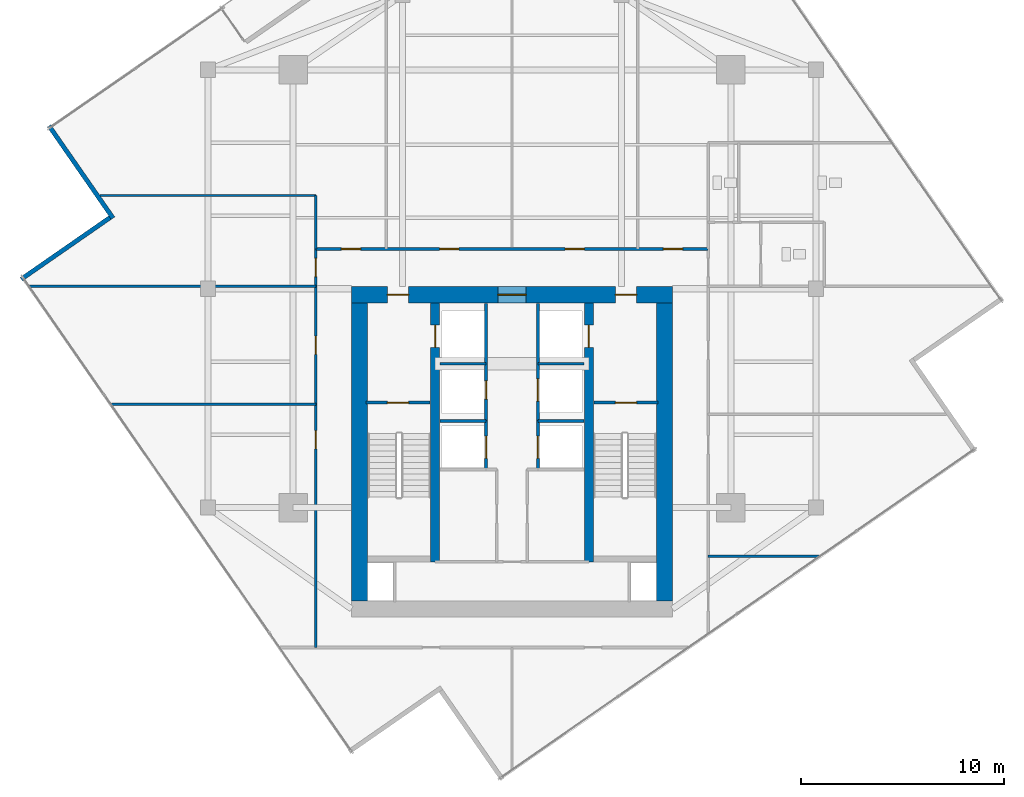
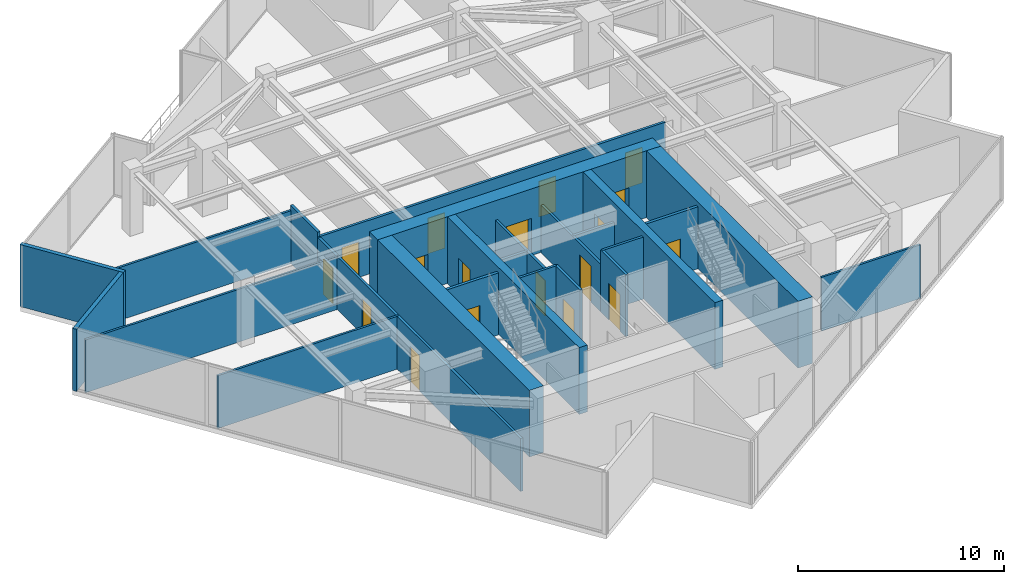
# One storey, part 18 of 21: 24 walls, 18 doors, 18 openings.
"""IFC4 building model written with IfcOpenShell, lengths in metres."""

from ifc_helpers import new_model, si_unit, direction, frame, frame_2d, origin, place, context, subcontext, project, spatial, rectangle, extrude, material, layer, layer_set, type_object, element, fill, save


model = new_model("IFC4")

# Units and contexts
model_context = context("Model", 3, precision=1e-05, world=origin(), true_north=direction((0.0, 1.0)))
body_context = subcontext(model_context, "Body", "Model", "MODEL_VIEW")
ifc_project = project(units=[si_unit("LENGTHUNIT", "METRE"), si_unit("AREAUNIT", "SQUARE_METRE"), si_unit("VOLUMEUNIT", "CUBIC_METRE"), si_unit("PLANEANGLEUNIT", "RADIAN"), si_unit("MASSUNIT", "GRAM", prefix="KILO")], contexts=[model_context])

# Site, building, storey
site_placement = place(None, origin())
site = spatial("IfcSite", under=ifc_project, at=site_placement, CompositionType="ELEMENT")
building_placement = place(site_placement, origin())
building = spatial("IfcBuilding", under=site, at=building_placement, Name="Krantzveldt Concourse Tower", CompositionType="ELEMENT")
storey_placement = place(building_placement, frame((0.0, 0.0, 275.300048828125)))
storey = spatial("IfcBuildingStorey", under=building, at=storey_placement, Name="L67", CompositionType="ELEMENT", Elevation=275.300048828125)

# Walls
ifc_material_1 = material(Name="Anodised aluminium 6063-T6", Category="aluminium")
ifc_layer_1 = layer(ifc_material_1, 0.219970703125, Name="Anodised aluminium 6063-T6", Category="aluminium")
ifc_layer_set_1 = layer_set([ifc_layer_1], Name="Anodised aluminium 6063-T6 (WL-EXT-NOTCH220)")
wall_type_1 = type_object("IfcWallType", Name="WL-EXT-NOTCH220", PredefinedType="ELEMENTEDWALL", material=ifc_layer_set_1)
wall_1_placement = place(storey_placement, frame((13.154541015625, 34.736572265625, 0.0), z_axis=(0.0, 0.0, 1.0), x_axis=(0.569988141022, -0.821652918874, 0.0)))
element("IfcWall", 1, at=wall_1_placement, inside=storey, type_object=wall_type_1, Name="EW-L67-NCH06", PredefinedType="ELEMENTEDWALL", context=body_context, shape_type="SweptSolid", body=[
    extrude(rectangle(XDim=5.545166015625, YDim=0.219970703125, at=frame_2d((2.7724609375, 0.0))), origin(), (0.0, 0.0, 1.0), 3.669921875),
])
wall_2_placement = place(storey_placement, frame((16.162109375, 30.208251953125, 0.0), z_axis=(0.0, 0.0, 1.0), x_axis=(-0.821652092748, -0.569989331903, 0.0)))
element("IfcWall", 2, at=wall_2_placement, inside=storey, type_object=wall_type_1, Name="EW-L67-NCH07", PredefinedType="ELEMENTEDWALL", context=body_context, shape_type="SweptSolid", body=[
    extrude(rectangle(XDim=5.324951171875, YDim=0.219970703125, at=frame_2d((2.66259765625, 0.0))), origin(), (0.0, 0.0, 1.0), 3.669921875),
])
ifc_material_2 = material(Name="Fire-rated gypsum plasterboard on steel stud", Category="steel")
ifc_layer_2 = layer(ifc_material_2, 0.1201171875, Name="Fire-rated gypsum plasterboard on steel stud", Category="steel")
ifc_layer_set_2 = layer_set([ifc_layer_2], Name="Fire-rated gypsum plasterboard on steel stud (WL-PART-120)")
wall_type_2 = type_object("IfcWallType", Name="WL-PART-120", PredefinedType="PARTITIONING", material=ifc_layer_set_2)
wall_3_placement = place(storey_placement, frame((12.171875, 26.820068359375, 0.0), z_axis=(0.0, 0.0, 1.0), x_axis=(1.0, 0.0, 0.0)))
element("IfcWall", 3, at=wall_3_placement, inside=storey, type_object=wall_type_2, Name="WP-L67-PNTS", PredefinedType="PARTITIONING", context=body_context, shape_type="SweptSolid", body=[
    extrude(rectangle(XDim=14.148193359375, YDim=0.1201171875, at=frame_2d((7.07421875, 0.0))), origin(), (0.0, 0.0, 1.0), 3.1298828125),
])
wall_4_placement = place(storey_placement, frame((15.6787109375, 31.300048828125, 0.0), z_axis=(0.0, 0.0, 1.0), x_axis=(1.0, 0.0, 0.0)))
element("IfcWall", 4, at=wall_4_placement, inside=storey, type_object=wall_type_2, Name="WP-L67-PNTN", PredefinedType="PARTITIONING", context=body_context, shape_type="SweptSolid", body=[
    extrude(rectangle(XDim=10.641357421875, YDim=0.1201171875, at=frame_2d((5.32080078125, 0.0))), origin(), (0.0, 0.0, 1.0), 3.1298828125),
])
wall_5_placement = place(storey_placement, frame((16.209228515625, 21.0, 0.0), z_axis=(0.0, 0.0, 1.0), x_axis=(1.0, 0.0, 0.0)))
element("IfcWall", 5, at=wall_5_placement, inside=storey, type_object=wall_type_2, Name="WP-L67-WD1", PredefinedType="PARTITIONING", context=body_context, shape_type="SweptSolid", body=[
    extrude(rectangle(XDim=10.11083984375, YDim=0.1201171875, at=frame_2d((5.055419921875, 0.0))), origin(), (0.0, 0.0, 1.0), 3.1298828125),
])
wall_6_placement = place(storey_placement, frame((45.679931640625, 13.5, 0.0), z_axis=(0.0, 0.0, 1.0), x_axis=(1.0, 0.0, 0.0)))
element("IfcWall", 6, at=wall_6_placement, inside=storey, type_object=wall_type_2, Name="WP-L67-ED1", PredefinedType="PARTITIONING", context=body_context, shape_type="SweptSolid", body=[
    extrude(rectangle(XDim=5.5205078125, YDim=0.1201171875, at=frame_2d((2.76025390625, 0.0))), origin(), (0.0, 0.0, 1.0), 3.179931640625),
])

# Wall, openings, doors
ifc_layer_3 = layer(ifc_material_2, 0.139892578125, Name="Fire-rated gypsum plasterboard on steel stud", Category="steel")
ifc_layer_set_3 = layer_set([ifc_layer_3], Name="Fire-rated gypsum plasterboard on steel stud (WL-PART-140)")
wall_type_3 = type_object("IfcWallType", Name="WL-PART-140", PredefinedType="PARTITIONING", material=ifc_layer_set_3)
wall_7_placement = place(storey_placement, frame((26.320068359375, 28.659912109375, 0.0), z_axis=(0.0, 0.0, 1.0), x_axis=(1.0, 0.0, 0.0)))
wall_7 = element("IfcWall", 7, at=wall_7_placement, inside=storey, type_object=wall_type_3, Name="WP-L67-CNHDR", PredefinedType="PARTITIONING", context=body_context, shape_type="SweptSolid", body=[
    extrude(rectangle(XDim=19.35986328125, YDim=0.139892578125, at=frame_2d((9.679931640625, 0.0))), origin(), (0.0, 0.0, 1.0), 3.179931640625),
])
opening_1_placement = place(wall_7_placement, frame((1.264892578125, 0.0, 0.0)))
opening_1 = element("IfcOpeningElement", 8, at=opening_1_placement, cuts=wall_7, Name="Opening D-IN095", PredefinedType="OPENING", context=body_context, shape_type="SweptSolid", body=[
    extrude(rectangle(XDim=0.949951171875, YDim=2.10009765625, at=frame_2d((0.47509765625, 1.050048828125))), frame((0.0, 0.080078125, 0.0), z_axis=(0.0, -1.0, 0.0), x_axis=(1.0, 0.0, 0.0)), (0.0, 0.0, 1.0), 0.159912109375),
])
opening_2_placement = place(wall_7_placement, frame((6.10498046875, 0.0, 0.0)))
opening_2 = element("IfcOpeningElement", 9, at=opening_2_placement, cuts=wall_7, Name="Opening D-IN095", PredefinedType="OPENING", context=body_context, shape_type="SweptSolid", body=[
    extrude(rectangle(XDim=0.949951171875, YDim=2.10009765625, at=frame_2d((0.47509765625, 1.050048828125))), frame((0.0, 0.080078125, 0.0), z_axis=(0.0, -1.0, 0.0), x_axis=(1.0, 0.0, 0.0)), (0.0, 0.0, 1.0), 0.159912109375),
])
opening_3_placement = place(wall_7_placement, frame((12.304931640625, 0.0, 0.0)))
opening_3 = element("IfcOpeningElement", 10, at=opening_3_placement, cuts=wall_7, Name="Opening D-IN095", PredefinedType="OPENING", context=body_context, shape_type="SweptSolid", body=[
    extrude(rectangle(XDim=0.949951171875, YDim=2.10009765625, at=frame_2d((0.47509765625, 1.050048828125))), frame((0.0, 0.080078125, 0.0), z_axis=(0.0, -1.0, 0.0), x_axis=(1.0, 0.0, 0.0)), (0.0, 0.0, 1.0), 0.159912109375),
])
opening_4_placement = place(wall_7_placement, frame((17.14501953125, 0.0, 0.0)))
opening_4 = element("IfcOpeningElement", 11, at=opening_4_placement, cuts=wall_7, Name="Opening D-IN095", PredefinedType="OPENING", context=body_context, shape_type="SweptSolid", body=[
    extrude(rectangle(XDim=0.949951171875, YDim=2.10009765625, at=frame_2d((0.47509765625, 1.050048828125))), frame((0.0, 0.080078125, 0.0), z_axis=(0.0, -1.0, 0.0), x_axis=(1.0, 0.0, 0.0)), (0.0, 0.0, 1.0), 0.159912109375),
])
ifc_material_3 = material(Name="Hardwood timber", Category="wood")
door_type_1 = type_object("IfcDoorType", Name="DR-INT-950", OperationType="SINGLE_SWING_LEFT", PredefinedType="DOOR", material=ifc_material_3)
door_1_placement = place(opening_1_placement, origin())
door_1 = element("IfcDoor", 12, at=door_1_placement, inside=storey, type_object=door_type_1, Name="DR-L67-NR1", OperationType="SINGLE_SWING_LEFT", OverallHeight=2.10009765625, OverallWidth=0.949951171875, PredefinedType="DOOR", context=body_context, shape_type="SweptSolid", body=[
    extrude(rectangle(XDim=0.949951171875, YDim=2.10009765625, at=frame_2d((0.47509765625, 1.050048828125))), frame((0.0, 0.02490234375, 0.0), z_axis=(0.0, -1.0, 0.0), x_axis=(1.0, 0.0, 0.0)), (0.0, 0.0, 1.0), 0.050048828125),
])
fill(opening_1, door_1)
door_2_placement = place(opening_2_placement, origin())
door_2 = element("IfcDoor", 13, at=door_2_placement, inside=storey, type_object=door_type_1, Name="DR-L67-NR2", OperationType="SINGLE_SWING_LEFT", OverallHeight=2.10009765625, OverallWidth=0.949951171875, PredefinedType="DOOR", context=body_context, shape_type="SweptSolid", body=[
    extrude(rectangle(XDim=0.949951171875, YDim=2.10009765625, at=frame_2d((0.47509765625, 1.050048828125))), frame((0.0, 0.02490234375, 0.0), z_axis=(0.0, -1.0, 0.0), x_axis=(1.0, 0.0, 0.0)), (0.0, 0.0, 1.0), 0.050048828125),
])
fill(opening_2, door_2)
door_3_placement = place(opening_3_placement, origin())
door_3 = element("IfcDoor", 14, at=door_3_placement, inside=storey, type_object=door_type_1, Name="DR-L67-NR3", OperationType="SINGLE_SWING_LEFT", OverallHeight=2.10009765625, OverallWidth=0.949951171875, PredefinedType="DOOR", context=body_context, shape_type="SweptSolid", body=[
    extrude(rectangle(XDim=0.949951171875, YDim=2.10009765625, at=frame_2d((0.47509765625, 1.050048828125))), frame((0.0, 0.02490234375, 0.0), z_axis=(0.0, -1.0, 0.0), x_axis=(1.0, 0.0, 0.0)), (0.0, 0.0, 1.0), 0.050048828125),
])
fill(opening_3, door_3)
door_4_placement = place(opening_4_placement, origin())
door_4 = element("IfcDoor", 15, at=door_4_placement, inside=storey, type_object=door_type_1, Name="DR-L67-NR4", OperationType="SINGLE_SWING_LEFT", OverallHeight=2.10009765625, OverallWidth=0.949951171875, PredefinedType="DOOR", context=body_context, shape_type="SweptSolid", body=[
    extrude(rectangle(XDim=0.949951171875, YDim=2.10009765625, at=frame_2d((0.47509765625, 1.050048828125))), frame((0.0, 0.02490234375, 0.0), z_axis=(0.0, -1.0, 0.0), x_axis=(1.0, 0.0, 0.0)), (0.0, 0.0, 1.0), 0.050048828125),
])
fill(opening_4, door_4)

wall_8_placement = place(storey_placement, frame((26.320068359375, 9.0, 0.0), z_axis=(0.0, 0.0, 1.0), x_axis=(0.0, 1.0, 0.0)))
wall_8 = element("IfcWall", 16, at=wall_8_placement, inside=storey, type_object=wall_type_3, Name="WP-L67-CWEST", PredefinedType="PARTITIONING", context=body_context, shape_type="SweptSolid", body=[
    extrude(rectangle(XDim=19.659912109375, YDim=0.139892578125, at=frame_2d((9.830078125, 0.0))), origin(), (0.0, 0.0, 1.0), 3.1298828125),
])
opening_5_placement = place(wall_8_placement, frame((18.300048828125, 0.0, 0.0)))
opening_5 = element("IfcOpeningElement", 17, at=opening_5_placement, cuts=wall_8, Name="Opening D-IN090", PredefinedType="OPENING", context=body_context, shape_type="SweptSolid", body=[
    extrude(rectangle(XDim=0.89990234375, YDim=2.10009765625, at=frame_2d((0.449951171875, 1.050048828125))), frame((0.0, 0.080078125, 0.0), z_axis=(0.0, -1.0, 0.0), x_axis=(1.0, 0.0, 0.0)), (0.0, 0.0, 1.0), 0.159912109375),
])
opening_6_placement = place(wall_8_placement, frame((9.800048828125, 0.0, 0.0)))
opening_6 = element("IfcOpeningElement", 18, at=opening_6_placement, cuts=wall_8, Name="Opening D-IN090", PredefinedType="OPENING", context=body_context, shape_type="SweptSolid", body=[
    extrude(rectangle(XDim=0.89990234375, YDim=2.10009765625, at=frame_2d((0.449951171875, 1.050048828125))), frame((0.0, 0.080078125, 0.0), z_axis=(0.0, -1.0, 0.0), x_axis=(1.0, 0.0, 0.0)), (0.0, 0.0, 1.0), 0.159912109375),
])
opening_7_placement = place(wall_8_placement, frame((14.4599609375, 0.0, 0.0)))
opening_7 = element("IfcOpeningElement", 19, at=opening_7_placement, cuts=wall_8, Name="Opening D-IN090", PredefinedType="OPENING", context=body_context, shape_type="SweptSolid", body=[
    extrude(rectangle(XDim=0.89990234375, YDim=2.10009765625, at=frame_2d((0.449951171875, 1.050048828125))), frame((0.0, 0.080078125, 0.0), z_axis=(0.0, -1.0, 0.0), x_axis=(1.0, 0.0, 0.0)), (0.0, 0.0, 1.0), 0.159912109375),
])
door_type_2 = type_object("IfcDoorType", Name="DR-INT-900", OperationType="SINGLE_SWING_LEFT", PredefinedType="DOOR", material=ifc_material_3)
door_5_placement = place(opening_5_placement, origin())
door_5 = element("IfcDoor", 20, at=door_5_placement, inside=storey, type_object=door_type_2, Name="DR-L67-PNT", OperationType="SINGLE_SWING_LEFT", OverallHeight=2.10009765625, OverallWidth=0.89990234375, PredefinedType="DOOR", context=body_context, shape_type="SweptSolid", body=[
    extrude(rectangle(XDim=0.89990234375, YDim=2.10009765625, at=frame_2d((0.449951171875, 1.050048828125))), frame((0.0, 0.02490234375, 0.0), z_axis=(0.0, -1.0, 0.0), x_axis=(1.0, 0.0, 0.0)), (0.0, 0.0, 1.0), 0.050048828125),
])
fill(opening_5, door_5)
door_6_placement = place(opening_6_placement, origin())
door_6 = element("IfcDoor", 21, at=door_6_placement, inside=storey, type_object=door_type_2, Name="DR-L67-WR1", OperationType="SINGLE_SWING_LEFT", OverallHeight=2.10009765625, OverallWidth=0.89990234375, PredefinedType="DOOR", context=body_context, shape_type="SweptSolid", body=[
    extrude(rectangle(XDim=0.89990234375, YDim=2.10009765625, at=frame_2d((0.449951171875, 1.050048828125))), frame((0.0, 0.02490234375, 0.0), z_axis=(0.0, -1.0, 0.0), x_axis=(1.0, 0.0, 0.0)), (0.0, 0.0, 1.0), 0.050048828125),
])
fill(opening_6, door_6)
door_7_placement = place(opening_7_placement, origin())
door_7 = element("IfcDoor", 22, at=door_7_placement, inside=storey, type_object=door_type_2, Name="DR-L67-WR2", OperationType="SINGLE_SWING_LEFT", OverallHeight=2.10009765625, OverallWidth=0.89990234375, PredefinedType="DOOR", context=body_context, shape_type="SweptSolid", body=[
    extrude(rectangle(XDim=0.89990234375, YDim=2.10009765625, at=frame_2d((0.449951171875, 1.050048828125))), frame((0.0, 0.02490234375, 0.0), z_axis=(0.0, -1.0, 0.0), x_axis=(1.0, 0.0, 0.0)), (0.0, 0.0, 1.0), 0.050048828125),
])
fill(opening_7, door_7)

# Wall
wall_9_placement = place(storey_placement, frame((26.320068359375, 28.659912109375, 0.0), z_axis=(0.0, 0.0, 1.0), x_axis=(0.0, 1.0, 0.0)))
element("IfcWall", 23, at=wall_9_placement, inside=storey, type_object=wall_type_3, Name="WP-L67-NWL", PredefinedType="PARTITIONING", context=body_context, shape_type="SweptSolid", body=[
    extrude(rectangle(XDim=2.64013671875, YDim=0.139892578125, at=frame_2d((1.320068359375, 0.0))), origin(), (0.0, 0.0, 1.0), 3.429931640625),
])

# Wall, opening, door
ifc_layer_4 = layer(ifc_material_2, 0.139892578125, Name="Fire-rated gypsum plasterboard on steel stud", Category="steel")
ifc_layer_set_4 = layer_set([ifc_layer_4], Name="Fire-rated gypsum plasterboard on steel stud (WL-PART-FR140)")
wall_type_4 = type_object("IfcWallType", Name="WL-PART-FR140", PredefinedType="PARTITIONING", material=ifc_layer_set_4)
wall_10_placement = place(storey_placement, frame((34.719970703125, 20.199951171875, 0.0), z_axis=(0.0, 0.0, 1.0), x_axis=(0.0, 1.0, 0.0)))
wall_10 = element("IfcWall", 24, at=wall_10_placement, inside=storey, type_object=wall_type_4, Name="WP-L67-SHNW", PredefinedType="PARTITIONING", context=body_context, shape_type="SweptSolid", body=[
    extrude(rectangle(XDim=5.780029296875, YDim=0.139892578125, at=frame_2d((2.89013671875, 0.0))), origin(), (0.0, 0.0, 1.0), 2.820068359375),
])
opening_8_placement = place(wall_10_placement, frame((1.050048828125, 0.0, 0.0)))
opening_8 = element("IfcOpeningElement", 25, at=opening_8_placement, cuts=wall_10, Name="Opening D-FD090", PredefinedType="OPENING", context=body_context, shape_type="SweptSolid", body=[
    extrude(rectangle(XDim=0.89990234375, YDim=2.10009765625, at=frame_2d((0.449951171875, 1.050048828125))), frame((0.0, 0.080078125, 0.0), z_axis=(0.0, -1.0, 0.0), x_axis=(1.0, 0.0, 0.0)), (0.0, 0.0, 1.0), 0.159912109375),
])
door_type_3 = type_object("IfcDoorType", Name="DR-FD60-900", OperationType="SINGLE_SWING_LEFT", PredefinedType="DOOR", material=ifc_material_3)
door_8_placement = place(opening_8_placement, origin())
door_8 = element("IfcDoor", 26, at=door_8_placement, inside=storey, type_object=door_type_3, Name="Electrical Riser Access Door L67", OperationType="SINGLE_SWING_LEFT", OverallHeight=2.10009765625, OverallWidth=0.89990234375, PredefinedType="DOOR", context=body_context, shape_type="SweptSolid", body=[
    extrude(rectangle(XDim=0.89990234375, YDim=2.10009765625, at=frame_2d((0.449951171875, 1.050048828125))), frame((0.0, 0.02490234375, 0.0), z_axis=(0.0, -1.0, 0.0), x_axis=(1.0, 0.0, 0.0)), (0.0, 0.0, 1.0), 0.050048828125),
])
fill(opening_8, door_8)

wall_11_placement = place(storey_placement, frame((37.280029296875, 20.199951171875, 0.0), z_axis=(0.0, 0.0, 1.0), x_axis=(0.0, 1.0, 0.0)))
wall_11 = element("IfcWall", 27, at=wall_11_placement, inside=storey, type_object=wall_type_4, Name="WP-L67-SHNE", PredefinedType="PARTITIONING", context=body_context, shape_type="SweptSolid", body=[
    extrude(rectangle(XDim=5.780029296875, YDim=0.139892578125, at=frame_2d((2.89013671875, 0.0))), origin(), (0.0, 0.0, 1.0), 2.820068359375),
])
opening_9_placement = place(wall_11_placement, frame((0.949951171875, 0.0, 0.0)))
opening_9 = element("IfcOpeningElement", 28, at=opening_9_placement, cuts=wall_11, Name="Opening LD", PredefinedType="OPENING", context=body_context, shape_type="SweptSolid", body=[
    extrude(rectangle(XDim=1.10009765625, YDim=2.14990234375, at=frame_2d((0.550048828125, 1.074951171875))), frame((0.0, 0.080078125, 0.0), z_axis=(0.0, -1.0, 0.0), x_axis=(1.0, 0.0, 0.0)), (0.0, 0.0, 1.0), 0.159912109375),
])
ifc_material_4 = material(Name="Stainless steel 316L", Category="steel")
door_type_4 = type_object("IfcDoorType", Name="DR-SLIDE-LD1100", OperationType="DOUBLE_DOOR_SLIDING", PredefinedType="DOOR", material=ifc_material_4)
door_9_placement = place(opening_9_placement, origin())
door_9 = element("IfcDoor", 29, at=door_9_placement, inside=storey, type_object=door_type_4, Name="LD-L67-GL1", OperationType="DOUBLE_DOOR_SLIDING", OverallHeight=2.14990234375, OverallWidth=1.10009765625, PredefinedType="DOOR", context=body_context, shape_type="SweptSolid", body=[
    extrude(rectangle(XDim=1.10009765625, YDim=2.14990234375, at=frame_2d((0.550048828125, 1.074951171875))), frame((0.0, 0.02490234375, 0.0), z_axis=(0.0, -1.0, 0.0), x_axis=(1.0, 0.0, 0.0)), (0.0, 0.0, 1.0), 0.050048828125),
])
fill(opening_9, door_9)

# Walls
for number, where, z_axis, x_axis, name in (
    (30, (32.449951171875, 23.0, 0.0), (0.0, 0.0, 1.0), (1.0, 0.0, 0.0), "WP-L67-RISH"),
    (31, (37.280029296875, 23.0, 0.0), (0.0, 0.0, 1.0), (1.0, 0.0, 0.0), "WP-L67-GLH"),
):
    element("IfcWall", number, at=place(storey_placement, frame(where, z_axis=z_axis, x_axis=x_axis)), inside=storey, type_object=wall_type_4, Name=name, PredefinedType="PARTITIONING", context=body_context, shape_type="SweptSolid", body=[
        extrude(rectangle(XDim=2.27001953125, YDim=0.139892578125, at=frame_2d((1.135009765625, 0.0))), origin(), (0.0, 0.0, 1.0), 2.820068359375),
    ])

# Wall, opening, door
wall_12_placement = place(storey_placement, frame((34.719970703125, 17.780029296875, 0.0), z_axis=(0.0, 0.0, 1.0), x_axis=(0.0, 1.0, 0.0)))
wall_12 = element("IfcWall", 32, at=wall_12_placement, inside=storey, type_object=wall_type_4, Name="WP-L67-SHNW2", PredefinedType="PARTITIONING", context=body_context, shape_type="SweptSolid", body=[
    extrude(rectangle(XDim=2.419921875, YDim=0.139892578125, at=frame_2d((1.2099609375, 0.0))), origin(), (0.0, 0.0, 1.0), 3.669921875),
])
opening_10_placement = place(wall_12_placement, frame((0.550048828125, 0.0, 0.0)))
opening_10 = element("IfcOpeningElement", 33, at=opening_10_placement, cuts=wall_12, Name="Opening LD", PredefinedType="OPENING", context=body_context, shape_type="SweptSolid", body=[
    extrude(rectangle(XDim=1.10009765625, YDim=2.14990234375, at=frame_2d((0.550048828125, 1.074951171875))), frame((0.0, 0.080078125, 0.0), z_axis=(0.0, -1.0, 0.0), x_axis=(1.0, 0.0, 0.0)), (0.0, 0.0, 1.0), 0.159912109375),
])
door_10_placement = place(opening_10_placement, origin())
door_10 = element("IfcDoor", 34, at=door_10_placement, inside=storey, type_object=door_type_4, Name="LD-L67-PH1", OperationType="DOUBLE_DOOR_SLIDING", OverallHeight=2.14990234375, OverallWidth=1.10009765625, PredefinedType="DOOR", context=body_context, shape_type="SweptSolid", body=[
    extrude(rectangle(XDim=1.10009765625, YDim=2.14990234375, at=frame_2d((0.550048828125, 1.074951171875))), frame((0.0, 0.02490234375, 0.0), z_axis=(0.0, -1.0, 0.0), x_axis=(1.0, 0.0, 0.0)), (0.0, 0.0, 1.0), 0.050048828125),
])
fill(opening_10, door_10)

wall_13_placement = place(storey_placement, frame((37.280029296875, 17.780029296875, 0.0), z_axis=(0.0, 0.0, 1.0), x_axis=(0.0, 1.0, 0.0)))
wall_13 = element("IfcWall", 35, at=wall_13_placement, inside=storey, type_object=wall_type_4, Name="WP-L67-SHNE2", PredefinedType="PARTITIONING", context=body_context, shape_type="SweptSolid", body=[
    extrude(rectangle(XDim=2.419921875, YDim=0.139892578125, at=frame_2d((1.2099609375, 0.0))), origin(), (0.0, 0.0, 1.0), 3.669921875),
])
opening_11_placement = place(wall_13_placement, frame((0.550048828125, 0.0, 0.0)))
opening_11 = element("IfcOpeningElement", 36, at=opening_11_placement, cuts=wall_13, Name="Opening LD", PredefinedType="OPENING", context=body_context, shape_type="SweptSolid", body=[
    extrude(rectangle(XDim=1.10009765625, YDim=2.14990234375, at=frame_2d((0.550048828125, 1.074951171875))), frame((0.0, 0.080078125, 0.0), z_axis=(0.0, -1.0, 0.0), x_axis=(1.0, 0.0, 0.0)), (0.0, 0.0, 1.0), 0.159912109375),
])
door_11_placement = place(opening_11_placement, origin())
door_11 = element("IfcDoor", 37, at=door_11_placement, inside=storey, type_object=door_type_4, Name="LD-L67-PH2", OperationType="DOUBLE_DOOR_SLIDING", OverallHeight=2.14990234375, OverallWidth=1.10009765625, PredefinedType="DOOR", context=body_context, shape_type="SweptSolid", body=[
    extrude(rectangle(XDim=1.10009765625, YDim=2.14990234375, at=frame_2d((0.550048828125, 1.074951171875))), frame((0.0, 0.02490234375, 0.0), z_axis=(0.0, -1.0, 0.0), x_axis=(1.0, 0.0, 0.0)), (0.0, 0.0, 1.0), 0.050048828125),
])
fill(opening_11, door_11)

# Walls
for number, where, z_axis, x_axis, name in (
    (38, (32.449951171875, 20.179931640625, 0.0), (0.0, 0.0, 1.0), (1.0, 0.0, 0.0), "WP-L67-DIVW3"),
    (39, (37.280029296875, 20.179931640625, 0.0), (0.0, 0.0, 1.0), (1.0, 0.0, 0.0), "WP-L67-DIVE3"),
):
    element("IfcWall", number, at=place(storey_placement, frame(where, z_axis=z_axis, x_axis=x_axis)), inside=storey, type_object=wall_type_4, Name=name, PredefinedType="PARTITIONING", context=body_context, shape_type="SweptSolid", body=[
        extrude(rectangle(XDim=2.27001953125, YDim=0.139892578125, at=frame_2d((1.135009765625, 0.0))), origin(), (0.0, 0.0, 1.0), 3.669921875),
    ])

# Wall, opening, door
ifc_layer_5 = layer(ifc_material_2, 0.159912109375, Name="Fire-rated gypsum plasterboard on steel stud", Category="steel")
ifc_layer_set_5 = layer_set([ifc_layer_5], Name="Fire-rated gypsum plasterboard on steel stud (WL-PART-FR160)")
wall_type_5 = type_object("IfcWallType", Name="WL-PART-FR160", PredefinedType="PARTITIONING", material=ifc_layer_set_5)
wall_14_placement = place(storey_placement, frame((28.800048828125, 21.080078125, 0.0), z_axis=(0.0, 0.0, 1.0), x_axis=(1.0, 0.0, 0.0)))
wall_14 = element("IfcWall", 40, at=wall_14_placement, inside=storey, type_object=wall_type_5, Name="WP-L67-ST1", PredefinedType="PARTITIONING", context=body_context, shape_type="SweptSolid", body=[
    extrude(rectangle(XDim=3.159912109375, YDim=0.159912109375, at=frame_2d((1.580078125, 0.0))), origin(), (0.0, 0.0, 1.0), 3.669921875),
])
opening_12_placement = place(wall_14_placement, frame((1.054931640625, 0.0, 0.0)))
opening_12 = element("IfcOpeningElement", 41, at=opening_12_placement, cuts=wall_14, Name="Opening D-FD105", PredefinedType="OPENING", context=body_context, shape_type="SweptSolid", body=[
    extrude(rectangle(XDim=1.050048828125, YDim=2.10009765625, at=frame_2d((0.52490234375, 1.050048828125))), frame((0.0, 0.08984375, 0.0), z_axis=(0.0, -1.0, 0.0), x_axis=(1.0, 0.0, 0.0)), (0.0, 0.0, 1.0), 0.179931640625),
])
ifc_material_5 = material(Name="Galvanised steel", Category="steel")
door_type_5 = type_object("IfcDoorType", Name="DR-FD120-1050", OperationType="SINGLE_SWING_LEFT", PredefinedType="DOOR", material=ifc_material_5)
door_12_placement = place(opening_12_placement, origin())
door_12 = element("IfcDoor", 42, at=door_12_placement, inside=storey, type_object=door_type_5, Name="DR-L67-ST1", OperationType="SINGLE_SWING_RIGHT", OverallHeight=2.10009765625, OverallWidth=1.050048828125, PredefinedType="DOOR", context=body_context, shape_type="SweptSolid", body=[
    extrude(rectangle(XDim=1.050048828125, YDim=2.10009765625, at=frame_2d((0.52490234375, 1.050048828125))), frame((0.0, 0.02490234375, 0.0), z_axis=(0.0, -1.0, 0.0), x_axis=(1.0, 0.0, 0.0)), (0.0, 0.0, 1.0), 0.050048828125),
])
fill(opening_12, door_12)

wall_15_placement = place(storey_placement, frame((40.0400390625, 21.080078125, 0.0), z_axis=(0.0, 0.0, 1.0), x_axis=(1.0, 0.0, 0.0)))
wall_15 = element("IfcWall", 43, at=wall_15_placement, inside=storey, type_object=wall_type_5, Name="WP-L67-ST2", PredefinedType="PARTITIONING", context=body_context, shape_type="SweptSolid", body=[
    extrude(rectangle(XDim=3.159912109375, YDim=0.159912109375, at=frame_2d((1.580078125, 0.0))), origin(), (0.0, 0.0, 1.0), 3.669921875),
])
opening_13_placement = place(wall_15_placement, frame((1.054931640625, 0.0, 0.0)))
opening_13 = element("IfcOpeningElement", 44, at=opening_13_placement, cuts=wall_15, Name="Opening D-FD105", PredefinedType="OPENING", context=body_context, shape_type="SweptSolid", body=[
    extrude(rectangle(XDim=1.050048828125, YDim=2.10009765625, at=frame_2d((0.52490234375, 1.050048828125))), frame((0.0, 0.08984375, 0.0), z_axis=(0.0, -1.0, 0.0), x_axis=(1.0, 0.0, 0.0)), (0.0, 0.0, 1.0), 0.179931640625),
])
door_13_placement = place(opening_13_placement, origin())
door_13 = element("IfcDoor", 45, at=door_13_placement, inside=storey, type_object=door_type_5, Name="DR-L67-ST2", OperationType="SINGLE_SWING_LEFT", OverallHeight=2.10009765625, OverallWidth=1.050048828125, PredefinedType="DOOR", context=body_context, shape_type="SweptSolid", body=[
    extrude(rectangle(XDim=1.050048828125, YDim=2.10009765625, at=frame_2d((0.52490234375, 1.050048828125))), frame((0.0, 0.02490234375, 0.0), z_axis=(0.0, -1.0, 0.0), x_axis=(1.0, 0.0, 0.0)), (0.0, 0.0, 1.0), 0.050048828125),
])
fill(opening_13, door_13)

ifc_material_6 = material(Name="Concrete C50/60", Category="concrete")
ifc_layer_6 = layer(ifc_material_6, 0.449951171875, Name="Concrete C50/60", Category="concrete")
ifc_layer_set_6 = layer_set([ifc_layer_6], Name="Concrete C50/60 (WL-SHEAR-450)")
wall_type_6 = type_object("IfcWallType", Name="WL-SHEAR-450", PredefinedType="SHEAR", material=ifc_layer_set_6)
wall_16_placement = place(storey_placement, frame((32.205078125, 13.219970703125, 0.0), z_axis=(0.0, 0.0, 1.0), x_axis=(0.0, 1.0, 0.0)))
wall_16 = element("IfcWall", 46, at=wall_16_placement, inside=storey, type_object=wall_type_6, Name="CW-L67-IW", PredefinedType="SHEAR", context=body_context, shape_type="SweptSolid", body=[
    extrude(rectangle(XDim=12.780029296875, YDim=0.449951171875, at=frame_2d((6.39013671875, 0.0))), origin(), (0.0, 0.0, 1.0), 3.949951171875),
])
opening_14_placement = place(wall_16_placement, frame((10.580078125, 0.0, 0.0)))
opening_14 = element("IfcOpeningElement", 47, at=opening_14_placement, cuts=wall_16, Name="Opening LD", PredefinedType="OPENING", context=body_context, shape_type="SweptSolid", body=[
    extrude(rectangle(XDim=1.10009765625, YDim=2.14990234375, at=frame_2d((0.550048828125, 1.074951171875))), frame((0.0, 0.23486328125, 0.0), z_axis=(0.0, -1.0, 0.0), x_axis=(1.0, 0.0, 0.0)), (0.0, 0.0, 1.0), 0.469970703125),
])
door_14_placement = place(opening_14_placement, origin())
door_14 = element("IfcDoor", 48, at=door_14_placement, inside=storey, type_object=door_type_4, Name="LD-L67-FL1", OperationType="DOUBLE_DOOR_SLIDING", OverallHeight=2.14990234375, OverallWidth=1.10009765625, PredefinedType="DOOR", context=body_context, shape_type="SweptSolid", body=[
    extrude(rectangle(XDim=1.10009765625, YDim=2.14990234375, at=frame_2d((0.550048828125, 1.074951171875))), frame((0.0, 0.02490234375, 0.0), z_axis=(0.0, -1.0, 0.0), x_axis=(1.0, 0.0, 0.0)), (0.0, 0.0, 1.0), 0.050048828125),
])
fill(opening_14, door_14)

wall_17_placement = place(storey_placement, frame((39.794921875, 13.219970703125, 0.0), z_axis=(0.0, 0.0, 1.0), x_axis=(0.0, 1.0, 0.0)))
wall_17 = element("IfcWall", 49, at=wall_17_placement, inside=storey, type_object=wall_type_6, Name="CW-L67-IE", PredefinedType="SHEAR", context=body_context, shape_type="SweptSolid", body=[
    extrude(rectangle(XDim=12.780029296875, YDim=0.449951171875, at=frame_2d((6.39013671875, 0.0))), origin(), (0.0, 0.0, 1.0), 3.949951171875),
])
opening_15_placement = place(wall_17_placement, frame((10.580078125, 0.0, 0.0)))
opening_15 = element("IfcOpeningElement", 50, at=opening_15_placement, cuts=wall_17, Name="Opening LD", PredefinedType="OPENING", context=body_context, shape_type="SweptSolid", body=[
    extrude(rectangle(XDim=1.10009765625, YDim=2.14990234375, at=frame_2d((0.550048828125, 1.074951171875))), frame((0.0, 0.23486328125, 0.0), z_axis=(0.0, -1.0, 0.0), x_axis=(1.0, 0.0, 0.0)), (0.0, 0.0, 1.0), 0.469970703125),
])
door_15_placement = place(opening_15_placement, origin())
door_15 = element("IfcDoor", 51, at=door_15_placement, inside=storey, type_object=door_type_4, Name="LD-L67-FL2", OperationType="DOUBLE_DOOR_SLIDING", OverallHeight=2.14990234375, OverallWidth=1.10009765625, PredefinedType="DOOR", context=body_context, shape_type="SweptSolid", body=[
    extrude(rectangle(XDim=1.10009765625, YDim=2.14990234375, at=frame_2d((0.550048828125, 1.074951171875))), frame((0.0, 0.02490234375, 0.0), z_axis=(0.0, -1.0, 0.0), x_axis=(1.0, 0.0, 0.0)), (0.0, 0.0, 1.0), 0.050048828125),
])
fill(opening_15, door_15)

# Wall, openings, doors
ifc_material_7 = material(Name="Concrete C60/75", Category="concrete")
ifc_layer_7 = layer(ifc_material_7, 0.800048828125, Name="Concrete C60/75", Category="concrete")
ifc_layer_set_7 = layer_set([ifc_layer_7], Name="Concrete C60/75 (WL-SHEAR-800)")
wall_type_7 = type_object("IfcWallType", Name="WL-SHEAR-800", PredefinedType="SHEAR", material=ifc_layer_set_7)
wall_18_placement = place(storey_placement, frame((28.080078125, 26.39990234375, 0.0), z_axis=(0.0, 0.0, 1.0), x_axis=(1.0, 0.0, 0.0)))
wall_18 = element("IfcWall", 52, at=wall_18_placement, inside=storey, type_object=wall_type_7, Name="CW-L67-N", PredefinedType="SHEAR", context=body_context, shape_type="SweptSolid", body=[
    extrude(rectangle(XDim=15.83984375, YDim=0.800048828125, at=frame_2d((7.919921875, 0.0))), origin(), (0.0, 0.0, 1.0), 3.949951171875),
])
opening_16_placement = place(wall_18_placement, frame((7.219970703125, 0.0, 0.0)))
opening_16 = element("IfcOpeningElement", 53, at=opening_16_placement, cuts=wall_18, Name="Opening D-DB140", PredefinedType="OPENING", context=body_context, shape_type="SweptSolid", body=[
    extrude(rectangle(XDim=1.39990234375, YDim=2.199951171875, at=frame_2d((0.699951171875, 1.10009765625))), frame((0.0, 0.41015625, 0.0), z_axis=(0.0, -1.0, 0.0), x_axis=(1.0, 0.0, 0.0)), (0.0, 0.0, 1.0), 0.820068359375),
])
opening_17_placement = place(wall_18_placement, frame((1.77490234375, 0.0, 0.0)))
opening_17 = element("IfcOpeningElement", 54, at=opening_17_placement, cuts=wall_18, Name="Opening D-FD105", PredefinedType="OPENING", context=body_context, shape_type="SweptSolid", body=[
    extrude(rectangle(XDim=1.050048828125, YDim=2.10009765625, at=frame_2d((0.52490234375, 1.050048828125))), frame((0.0, 0.41015625, 0.0), z_axis=(0.0, -1.0, 0.0), x_axis=(1.0, 0.0, 0.0)), (0.0, 0.0, 1.0), 0.820068359375),
])
opening_18_placement = place(wall_18_placement, frame((13.014892578125, 0.0, 0.0)))
opening_18 = element("IfcOpeningElement", 55, at=opening_18_placement, cuts=wall_18, Name="Opening D-FD105", PredefinedType="OPENING", context=body_context, shape_type="SweptSolid", body=[
    extrude(rectangle(XDim=1.050048828125, YDim=2.10009765625, at=frame_2d((0.52490234375, 1.050048828125))), frame((0.0, 0.41015625, 0.0), z_axis=(0.0, -1.0, 0.0), x_axis=(1.0, 0.0, 0.0)), (0.0, 0.0, 1.0), 0.820068359375),
])
door_type_6 = type_object("IfcDoorType", Name="DR-DBL-1400", OperationType="DOUBLE_DOOR_SINGLE_SWING", PredefinedType="DOOR", material=ifc_material_1)
door_16_placement = place(opening_16_placement, origin())
door_16 = element("IfcDoor", 56, at=door_16_placement, inside=storey, type_object=door_type_6, Name="DR-L67-LLB", OperationType="DOUBLE_DOOR_SINGLE_SWING", OverallHeight=2.199951171875, OverallWidth=1.39990234375, PredefinedType="DOOR", context=body_context, shape_type="SweptSolid", body=[
    extrude(rectangle(XDim=1.39990234375, YDim=2.199951171875, at=frame_2d((0.699951171875, 1.10009765625))), frame((0.0, 0.02490234375, 0.0), z_axis=(0.0, -1.0, 0.0), x_axis=(1.0, 0.0, 0.0)), (0.0, 0.0, 1.0), 0.050048828125),
])
fill(opening_16, door_16)
door_17_placement = place(opening_17_placement, origin())
door_17 = element("IfcDoor", 57, at=door_17_placement, inside=storey, type_object=door_type_5, Name="DR-L67-FFL1", OperationType="SINGLE_SWING_LEFT", OverallHeight=2.10009765625, OverallWidth=1.050048828125, PredefinedType="DOOR", context=body_context, shape_type="SweptSolid", body=[
    extrude(rectangle(XDim=1.050048828125, YDim=2.10009765625, at=frame_2d((0.52490234375, 1.050048828125))), frame((0.0, 0.02490234375, 0.0), z_axis=(0.0, -1.0, 0.0), x_axis=(1.0, 0.0, 0.0)), (0.0, 0.0, 1.0), 0.050048828125),
])
fill(opening_17, door_17)
door_18_placement = place(opening_18_placement, origin())
door_18 = element("IfcDoor", 58, at=door_18_placement, inside=storey, type_object=door_type_5, Name="DR-L67-FFL2", OperationType="SINGLE_SWING_RIGHT", OverallHeight=2.10009765625, OverallWidth=1.050048828125, PredefinedType="DOOR", context=body_context, shape_type="SweptSolid", body=[
    extrude(rectangle(XDim=1.050048828125, YDim=2.10009765625, at=frame_2d((0.52490234375, 1.050048828125))), frame((0.0, 0.02490234375, 0.0), z_axis=(0.0, -1.0, 0.0), x_axis=(1.0, 0.0, 0.0)), (0.0, 0.0, 1.0), 0.050048828125),
])
fill(opening_18, door_18)

# Walls
for number, where, z_axis, x_axis, name in (
    (59, (28.47998046875, 11.300048828125, 0.0), (0.0, 0.0, 1.0), (0.0, 1.0, 0.0), "CW-L67-W"),
    (60, (43.52001953125, 11.300048828125, 0.0), (0.0, 0.0, 1.0), (0.0, 1.0, 0.0), "CW-L67-E"),
):
    element("IfcWall", number, at=place(storey_placement, frame(where, z_axis=z_axis, x_axis=x_axis)), inside=storey, type_object=wall_type_7, Name=name, PredefinedType="SHEAR", context=body_context, shape_type="SweptSolid", body=[
        extrude(rectangle(XDim=14.699951171875, YDim=0.800048828125, at=frame_2d((7.35009765625, 0.0))), origin(), (0.0, 0.0, 1.0), 3.949951171875),
    ])

save(model, "model.ifc")
